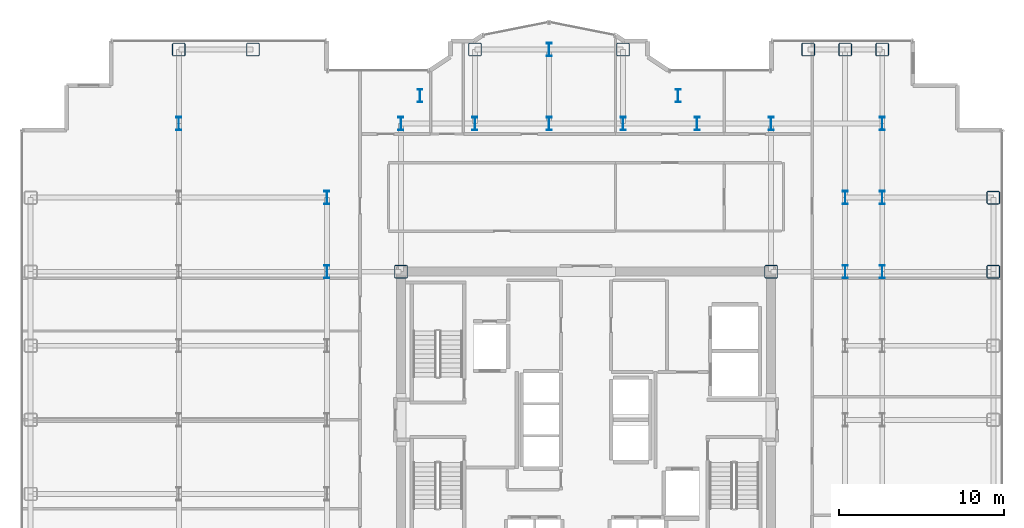
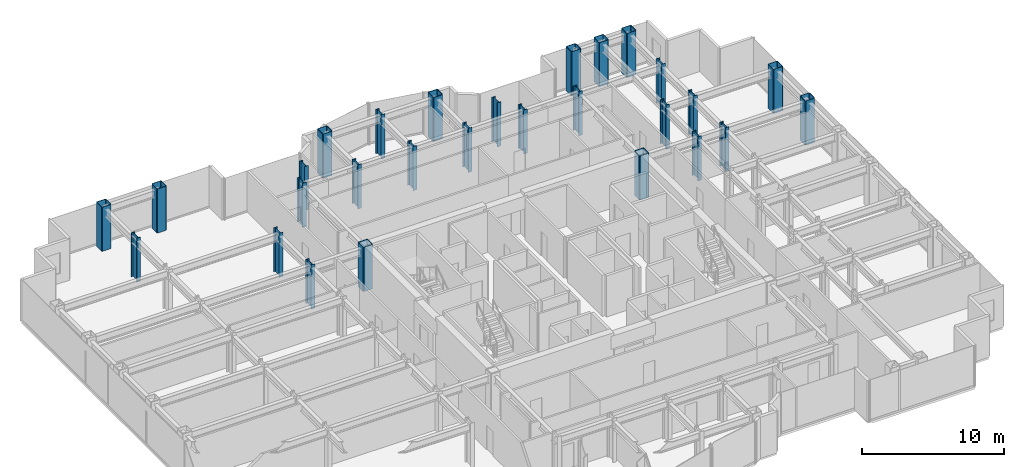
# One storey, part 2 of 23: 28 columns.
"""IFC4 building model written with IfcOpenShell, lengths in metres."""

from ifc_helpers import new_model, si_unit, direction, frame, origin, origin_2d, place, context, subcontext, project, spatial, hollow_rectangle, i_section, extrude, source, transform, mapped, material, material_profile, profile_set, type_object, element, save


model = new_model("IFC4")

# Units and contexts
model_context = context("Model", 3, precision=1e-05, world=origin(), true_north=direction((0.0, 1.0)))
body_context = subcontext(model_context, "Body", "Model", "MODEL_VIEW")
ifc_project = project(units=[si_unit("LENGTHUNIT", "METRE"), si_unit("AREAUNIT", "SQUARE_METRE"), si_unit("VOLUMEUNIT", "CUBIC_METRE"), si_unit("PLANEANGLEUNIT", "RADIAN"), si_unit("MASSUNIT", "GRAM", prefix="KILO")], contexts=[model_context])

# Site, building, storey
site_placement = place(None, origin())
site = spatial("IfcSite", under=ifc_project, at=site_placement, CompositionType="ELEMENT")
building_placement = place(site_placement, origin())
building = spatial("IfcBuilding", under=site, at=building_placement, Name="Nefas-Gora Pilgrimage Tower", CompositionType="ELEMENT")
storey_placement = place(building_placement, frame((0.0, 0.0, 190.60009765625)))
storey = spatial("IfcBuildingStorey", under=building, at=storey_placement, Name="L47", CompositionType="ELEMENT", Elevation=190.60009765625)

# Columns
ifc_material = material(Name="Steel S460", Category="steel")
ifc_material_profile_1 = material_profile(ifc_material, hollow_rectangle(XDim=0.800048828125, YDim=0.800048828125, WallThickness=0.0400390625, InnerFilletRadius=0.0400390625, OuterFilletRadius=0.080078125, at=origin_2d()), Name="BOX 800x800x40")
ifc_profile_set_1 = profile_set([ifc_material_profile_1], Name="Steel S460")
column_type_1 = type_object("IfcColumnType", Name="COL-TUBE-800", PredefinedType="COLUMN", material=ifc_profile_set_1)
shared_shape_1 = source(origin(), body_context, "Body", "SweptSolid", [
    extrude(hollow_rectangle(XDim=0.800048828125, YDim=0.800048828125, WallThickness=0.0400390625, InnerFilletRadius=0.0400390625, OuterFilletRadius=0.080078125, at=origin_2d()), origin(), (0.0, 0.0, 1.0), 3.7998046875),
])
for number, where, z_axis, x_axis, name in (
    (1, (-24.75, 22.5, 0.0), (0.0, 0.0, 1.0), (1.0, 0.0, 0.0), "L47 Tower Column C-Z2.18"),
    (2, (-20.25, 22.5, 0.0), (0.0, 0.0, 1.0), (1.0, 0.0, 0.0), "L47 Tower Column C-Z2.20"),
    (3, (-6.75, 22.5, 0.0), (0.0, 0.0, 1.0), (1.0, 0.0, 0.0), "L47 Tower Column C-Z2.37"),
    (4, (2.25, 22.5, 0.0), (0.0, 0.0, 1.0), (1.0, 0.0, 0.0), "L47 Tower Column C-Z2.45"),
    (5, (13.5, 22.5, 0.0), (0.0, 0.0, 1.0), (1.0, 0.0, 0.0), "L47 Tower Column C-Z2.55"),
    (6, (15.75, 22.5, 0.0), (0.0, 0.0, 1.0), (1.0, 0.0, 0.0), "L47 Tower Column C-Z2.64"),
    (7, (18.0, 22.5, 0.0), (0.0, 0.0, 1.0), (1.0, 0.0, 0.0), "L47 Tower Column C-Z2.73"),
    (8, (24.75, 9.0, 0.0), (0.0, 0.0, 1.0), (1.0, 0.0, 0.0), "L47 Tower Column C-Z2.79"),
    (9, (24.75, 13.5, 0.0), (0.0, 0.0, 1.0), (1.0, 0.0, 0.0), "L47 Tower Column C-Z2.80"),
):
    element("IfcColumn", number, at=place(storey_placement, frame(where, z_axis=z_axis, x_axis=x_axis)), inside=storey, type_object=column_type_1, Name=name, PredefinedType="COLUMN", context=body_context, shape_type="MappedRepresentation", body=[
        mapped(shared_shape_1, transform((0.0, 0.0, 0.0), x_axis=(1.0, 0.0, 0.0), y_axis=(0.0, 1.0, 0.0), z_axis=(0.0, 0.0, 1.0), scale=1.0)),
    ])
ifc_material_profile_2 = material_profile(ifc_material, i_section(OverallWidth=0.302978515625, OverallDepth=0.81396484375, WebThickness=0.02099609375, FlangeThickness=0.0400390625, FilletRadius=0.030029296875, at=origin_2d()), Name="HEM 800")
ifc_profile_set_2 = profile_set([ifc_material_profile_2], Name="Steel S460")
column_type_2 = type_object("IfcColumnType", Name="COL-WEB-HEM800", PredefinedType="COLUMN", material=ifc_profile_set_2)
shared_shape_2 = source(origin(), body_context, "Body", "SweptSolid", [
    extrude(i_section(OverallWidth=0.302978515625, OverallDepth=0.81396484375, WebThickness=0.02099609375, FlangeThickness=0.0400390625, FilletRadius=0.030029296875, at=origin_2d()), origin(), (0.0, 0.0, 1.0), 3.7998046875),
])
for number, where, z_axis, x_axis, name in (
    (10, (-24.75, 18.0, 0.0), (0.0, 0.0, 1.0), (1.0, 0.0, 0.0), "L47 Tower Column CW-02.17"),
    (11, (-15.75, 9.0, 0.0), (0.0, 0.0, 1.0), (1.0, 0.0, 0.0), "L47 Tower Column CW-02.26"),
    (12, (-15.75, 13.5, 0.0), (0.0, 0.0, 1.0), (1.0, 0.0, 0.0), "L47 Tower Column CW-02.27"),
    (13, (-11.25, 18.0, 0.0), (0.0, 0.0, 1.0), (1.0, 0.0, 0.0), "L47 Tower Column CW-02.31"),
    (14, (-10.091064453125, 19.696044921875, 0.0), (0.0, 0.0, 1.0), (1.0, 0.0, 0.0), "L47 Tower Column CW-02.33"),
    (15, (-6.75, 18.0, 0.0), (0.0, 0.0, 1.0), (1.0, 0.0, 0.0), "L47 Tower Column CW-02.36"),
    (16, (-2.25, 18.0, 0.0), (0.0, 0.0, 1.0), (1.0, 0.0, 0.0), "L47 Tower Column CW-02.40"),
    (17, (-2.25, 22.5, 0.0), (0.0, 0.0, 1.0), (1.0, 0.0, 0.0), "L47 Tower Column CW-02.41"),
    (18, (2.25, 18.0, 0.0), (0.0, 0.0, 1.0), (1.0, 0.0, 0.0), "L47 Tower Column CW-02.44"),
    (19, (5.591064453125, 19.696044921875, 0.0), (0.0, 0.0, 1.0), (1.0, 0.0, 0.0), "L47 Tower Column CW-02.47"),
    (20, (6.75, 18.0, 0.0), (0.0, 0.0, 1.0), (1.0, 0.0, 0.0), "L47 Tower Column CW-02.49"),
    (21, (11.25, 18.0, 0.0), (0.0, 0.0, 1.0), (1.0, 0.0, 0.0), "L47 Tower Column CW-02.53"),
    (22, (15.75, 9.0, 0.0), (0.0, 0.0, 1.0), (1.0, 0.0, 0.0), "L47 Tower Column CW-02.62"),
    (23, (15.75, 13.5, 0.0), (0.0, 0.0, 1.0), (1.0, 0.0, 0.0), "L47 Tower Column CW-02.63"),
    (24, (18.0, 9.0, 0.0), (0.0, 0.0, 1.0), (1.0, 0.0, 0.0), "L47 Tower Column CW-02.70"),
    (25, (18.0, 13.5, 0.0), (0.0, 0.0, 1.0), (1.0, 0.0, 0.0), "L47 Tower Column CW-02.71"),
    (26, (18.0, 18.0, 0.0), (0.0, 0.0, 1.0), (1.0, 0.0, 0.0), "L47 Tower Column CW-02.72"),
):
    element("IfcColumn", number, at=place(storey_placement, frame(where, z_axis=z_axis, x_axis=x_axis)), inside=storey, type_object=column_type_2, Name=name, PredefinedType="COLUMN", context=body_context, shape_type="MappedRepresentation", body=[
        mapped(shared_shape_2, transform((0.0, 0.0, 0.0), x_axis=(1.0, 0.0, 0.0), y_axis=(0.0, 1.0, 0.0), z_axis=(0.0, 0.0, 1.0), scale=1.0)),
    ])
ifc_material_profile_3 = material_profile(ifc_material, hollow_rectangle(XDim=0.800048828125, YDim=0.800048828125, WallThickness=0.0400390625, InnerFilletRadius=0.0400390625, OuterFilletRadius=0.080078125, at=origin_2d()), Name="BOX 800x800x40")
ifc_profile_set_3 = profile_set([ifc_material_profile_3], Name="Steel S460")
column_type_3 = type_object("IfcColumnType", Name="COL-CORE-800", PredefinedType="COLUMN", material=ifc_profile_set_3)
shared_shape_3 = source(origin(), body_context, "Body", "SweptSolid", [
    extrude(hollow_rectangle(XDim=0.800048828125, YDim=0.800048828125, WallThickness=0.0400390625, InnerFilletRadius=0.0400390625, OuterFilletRadius=0.080078125, at=origin_2d()), origin(), (0.0, 0.0, 1.0), 3.7998046875),
])
for number, where, z_axis, x_axis, name in (
    (27, (-11.25, 9.0, 0.0), (0.0, 0.0, 1.0), (1.0, 0.0, 0.0), "L47 Tower Column CC-Z2.30"),
    (28, (11.25, 9.0, 0.0), (0.0, 0.0, 1.0), (1.0, 0.0, 0.0), "L47 Tower Column CC-Z2.52"),
):
    element("IfcColumn", number, at=place(storey_placement, frame(where, z_axis=z_axis, x_axis=x_axis)), inside=storey, type_object=column_type_3, Name=name, PredefinedType="COLUMN", context=body_context, shape_type="MappedRepresentation", body=[
        mapped(shared_shape_3, transform((0.0, 0.0, 0.0), x_axis=(1.0, 0.0, 0.0), y_axis=(0.0, 1.0, 0.0), z_axis=(0.0, 0.0, 1.0), scale=1.0)),
    ])

save(model, "model.ifc")
